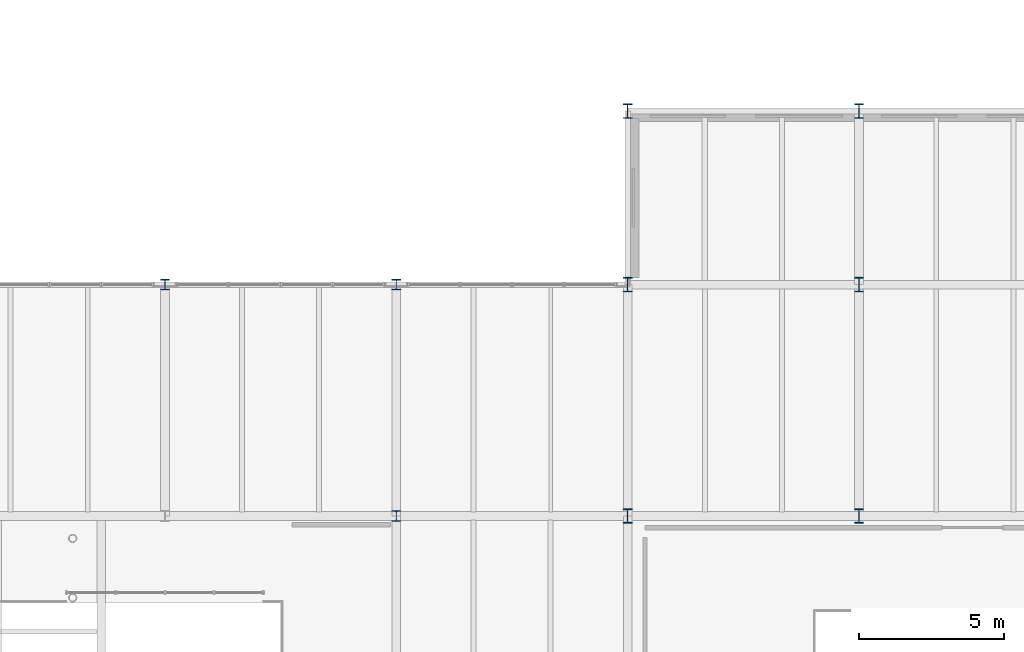
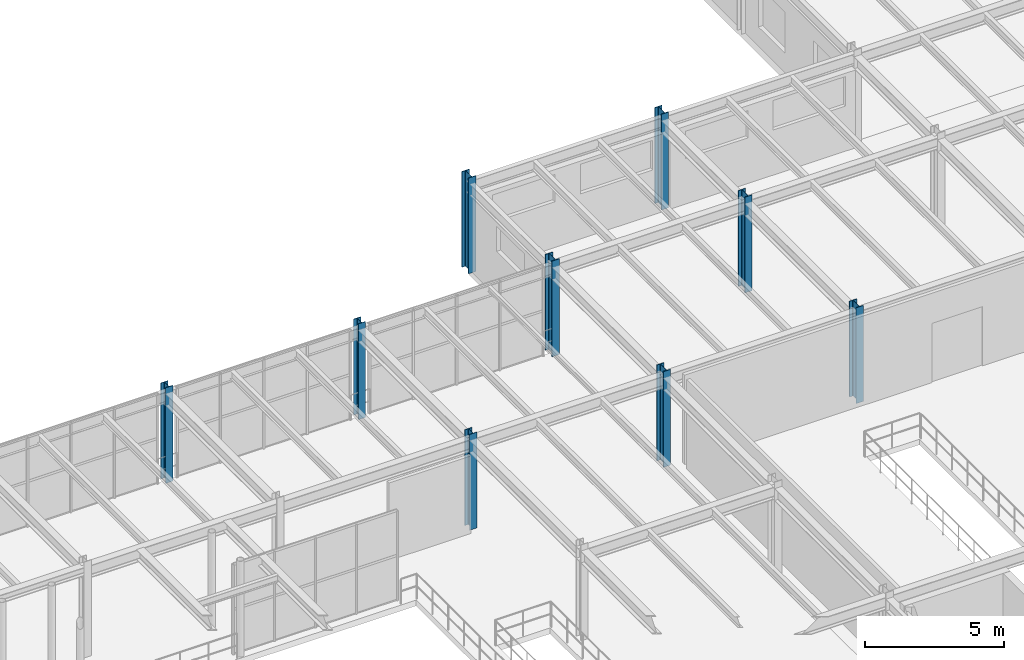
# One storey, part 6 of 122: 9 columns.
"""IFC4 building model written with IfcOpenShell, lengths in metres."""

from ifc_helpers import new_model, si_unit, direction, frame, origin, origin_2d, place, context, subcontext, project, spatial, i_section, extrude, material, material_profile, profile_set, type_object, element, save


model = new_model("IFC4")

# Units and contexts
model_context = context("Model", 3, precision=1e-05, world=origin(), true_north=direction((0.0, 1.0)))
body_context = subcontext(model_context, "Body", "Model", "MODEL_VIEW")
ifc_project = project(units=[si_unit("LENGTHUNIT", "METRE"), si_unit("AREAUNIT", "SQUARE_METRE"), si_unit("VOLUMEUNIT", "CUBIC_METRE"), si_unit("PLANEANGLEUNIT", "RADIAN"), si_unit("MASSUNIT", "GRAM", prefix="KILO")], contexts=[model_context])

# Site, building, storey
site_placement = place(None, origin())
site = spatial("IfcSite", under=ifc_project, at=site_placement, CompositionType="ELEMENT")
building_placement = place(site_placement, origin())
building = spatial("IfcBuilding", under=site, at=building_placement, Name="Sundkrona Museum", CompositionType="ELEMENT")
storey_placement = place(building_placement, frame((0.0, 0.0, 5.39990234375)))
storey = spatial("IfcBuildingStorey", under=building, at=storey_placement, Name="L01", CompositionType="ELEMENT", Elevation=5.39990234375)

# Columns
ifc_material = material(Name="Steel S355J2", Category="steel")
ifc_material_profile_1 = material_profile(ifc_material, i_section(OverallWidth=0.300048828125, OverallDepth=0.360107421875, WebThickness=0.012451171875, FlangeThickness=0.0224609375, FilletRadius=0.027099609375, at=origin_2d()), Name="HEB 360")
ifc_profile_set_1 = profile_set([ifc_material_profile_1], Name="Steel S355J2")
column_type_1 = type_object("IfcColumnType", Name="C-HEB360", PredefinedType="COLUMN", material=ifc_profile_set_1)
for number, where, z_axis, x_axis, name in (
    (1, (104.0, 40.0, 0.0), (0.0, 0.0, 1.0), (1.0, 0.0, 0.0), "L01 Column F/14"),
    (2, (112.0, 32.0, 0.0), (0.0, 0.0, 1.0), (1.0, 0.0, 0.0), "L01 Column E/15"),
    (3, (112.0, 40.0, 0.0), (0.0, 0.0, 1.0), (1.0, 0.0, 0.0), "L01 Column F/15"),
):
    element("IfcColumn", number, at=place(storey_placement, frame(where, z_axis=z_axis, x_axis=x_axis)), inside=storey, type_object=column_type_1, Name=name, PredefinedType="COLUMN", context=body_context, shape_type="SweptSolid", body=[
        extrude(i_section(OverallWidth=0.300048828125, OverallDepth=0.360107421875, WebThickness=0.012451171875, FlangeThickness=0.0224609375, FilletRadius=0.027099609375, at=origin_2d()), origin(), (0.0, 0.0, 1.0), 4.2001953125),
    ])
ifc_material_profile_2 = material_profile(ifc_material, i_section(OverallWidth=0.300048828125, OverallDepth=0.5, WebThickness=0.014404296875, FlangeThickness=0.028076171875, FilletRadius=0.027099609375, at=origin_2d()), Name="HEB 500")
ifc_profile_set_2 = profile_set([ifc_material_profile_2], Name="Steel S355J2")
column_type_2 = type_object("IfcColumnType", Name="C-HEB500", PredefinedType="COLUMN", material=ifc_profile_set_2)
for number, where, z_axis, x_axis, name in (
    (4, (120.0, 32.0, 0.0), (0.0, 0.0, 1.0), (1.0, 0.0, 0.0), "L01 Column E/16"),
    (5, (120.0, 40.0, 0.0), (0.0, 0.0, 1.0), (1.0, 0.0, 0.0), "L01 Column F/16"),
    (6, (120.0, 46.0, 0.0), (0.0, 0.0, 1.0), (1.0, 0.0, 0.0), "L01 Column G/16"),
    (7, (128.0, 32.0, 0.0), (0.0, 0.0, 1.0), (1.0, 0.0, 0.0), "L01 Column E/17"),
    (8, (128.0, 40.0, 0.0), (0.0, 0.0, 1.0), (1.0, 0.0, 0.0), "L01 Column F/17"),
    (9, (128.0, 46.0, 0.0), (0.0, 0.0, 1.0), (1.0, 0.0, 0.0), "L01 Column G/17"),
):
    element("IfcColumn", number, at=place(storey_placement, frame(where, z_axis=z_axis, x_axis=x_axis)), inside=storey, type_object=column_type_2, Name=name, PredefinedType="COLUMN", context=body_context, shape_type="SweptSolid", body=[
        extrude(i_section(OverallWidth=0.300048828125, OverallDepth=0.5, WebThickness=0.014404296875, FlangeThickness=0.028076171875, FilletRadius=0.027099609375, at=origin_2d()), origin(), (0.0, 0.0, 1.0), 4.2001953125),
    ])

save(model, "model.ifc")
